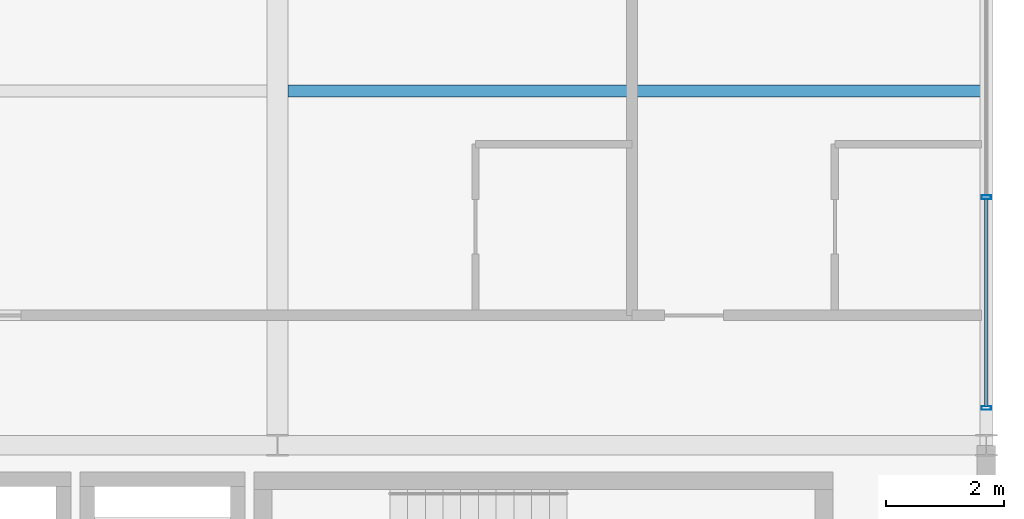
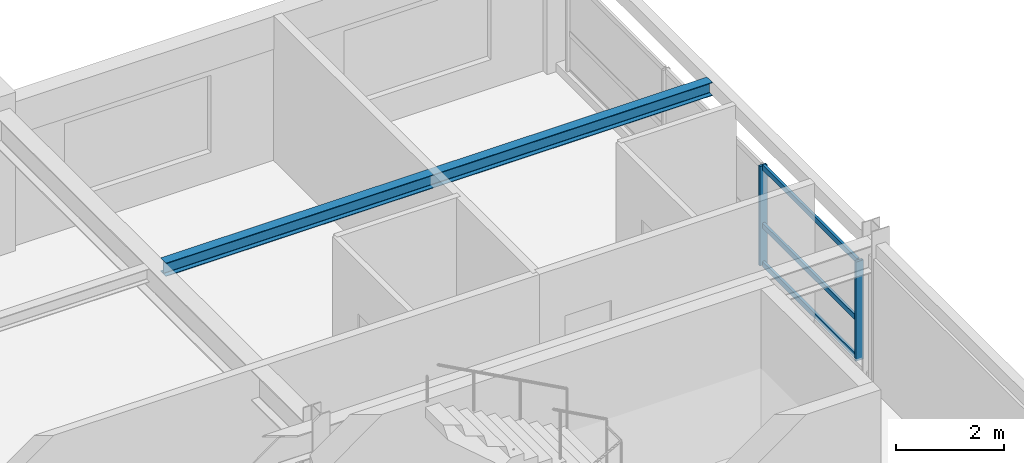
# One storey, part 13 of 22: 5 members, 1 beam, 1 element without a shape of its own.
"""IFC4 building model written with IfcOpenShell, lengths in metres."""

from ifc_helpers import new_model, si_unit, direction, frame, origin, origin_2d, place, context, subcontext, project, spatial, hollow_rectangle, i_section, extrude, material, material_profile, profile_set, type_object, element, aggregate, save


model = new_model("IFC4")

# Units and contexts
model_context = context("Model", 3, precision=1e-05, world=origin(), true_north=direction((0.0, 1.0)))
body_context = subcontext(model_context, "Body", "Model", "MODEL_VIEW")
ifc_project = project(units=[si_unit("LENGTHUNIT", "METRE"), si_unit("AREAUNIT", "SQUARE_METRE"), si_unit("VOLUMEUNIT", "CUBIC_METRE"), si_unit("PLANEANGLEUNIT", "RADIAN"), si_unit("MASSUNIT", "GRAM", prefix="KILO")], contexts=[model_context])

# Site, building, storey
site_placement = place(None, origin())
site = spatial("IfcSite", under=ifc_project, at=site_placement, CompositionType="ELEMENT")
building_placement = place(site_placement, origin())
building = spatial("IfcBuilding", under=site, at=building_placement, Name="Kaldorvane Square Convention Centre", CompositionType="ELEMENT")
storey_placement = place(building_placement, frame((0.0, 0.0, 67.19999694824219)))
storey = spatial("IfcBuildingStorey", under=building, at=storey_placement, Name="L16", CompositionType="ELEMENT", Elevation=67.19999694824219)

# Beam
ifc_material_1 = material(Name="Steel ASTM A992 Gr. 50", Category="steel")
ifc_material_profile_1 = material_profile(ifc_material_1, i_section(OverallWidth=0.2032928466796875, OverallDepth=0.3032989501953125, WebThickness=0.00750732421875, FlangeThickness=0.0131072998046875, FilletRadius=0.01019287109375, at=origin_2d()), Name="W12X40")
ifc_profile_set_1 = profile_set([ifc_material_profile_1], Name="Steel ASTM A992 Gr. 50")
beam_type = type_object("IfcBeamType", Name="BM-JS-W12X40", PredefinedType="JOIST", material=ifc_profile_set_1)
beam_placement = place(storey_placement, frame((66.17739868164062, 111.0, 3.124298095703125), z_axis=(1.0, 0.0, 0.0), x_axis=(0.0, 1.0, 0.0)))
element("IfcBeam", 1, at=beam_placement, inside=storey, type_object=beam_type, Name="Secondary Floor Joist (L16)", PredefinedType="JOIST", context=body_context, shape_type="SweptSolid", body=[
    extrude(i_section(OverallWidth=0.2032928466796875, OverallDepth=0.3032989501953125, WebThickness=0.00750732421875, FlangeThickness=0.0131072998046875, FilletRadius=0.01019287109375, at=origin_2d()), origin(), (0.0, 0.0, 1.0), 11.72100830078125),
])

# Curtain wall, members
ifc_material_2 = material(Name="Anodized Aluminum and Low-E Insulated Glazing", Category="aluminium")
curtain_wall_type = type_object("IfcCurtainWallType", Name="CW-UNI-HTL-A", PredefinedType="USERDEFINED", material=ifc_material_2)
curtain_wall_placement = place(storey_placement, origin())
curtain_wall = element("IfcCurtainWall", 2, at=curtain_wall_placement, inside=storey, type_object=curtain_wall_type, Name="Curtain Wall CW-10 (L16)", ObjectType="UNITISED GLAZING", PredefinedType="USERDEFINED")
ifc_material_profile_2 = material_profile(ifc_material_2, hollow_rectangle(XDim=0.05999755859375, YDim=0.160003662109375, WallThickness=0.003204345703125, at=origin_2d()), Name="CWM-160X60")
ifc_profile_set_2 = profile_set([ifc_material_profile_2], Name="Anodized Aluminum and Low-E Insulated Glazing")
member_type_1 = type_object("IfcMemberType", Name="CW-MUL-160", PredefinedType="MULLION", material=ifc_profile_set_2)
member_1_placement = place(storey_placement, frame((78.0, 105.6300048828125, 0.1500091552734375), z_axis=(0.0, 0.0, 1.0), x_axis=(0.0, 1.0, 0.0)))
member_1 = element("IfcMember", 3, at=member_1_placement, type_object=member_type_1, Name="CW-10 mullion 1", PredefinedType="MULLION", context=body_context, shape_type="SweptSolid", body=[
    extrude(hollow_rectangle(XDim=0.05999755859375, YDim=0.160003662109375, WallThickness=0.003204345703125, at=origin_2d()), origin(), (0.0, 0.0, 1.0), 2.25),
])
member_2_placement = place(storey_placement, frame((78.0, 109.19999694824219, 0.1500091552734375), z_axis=(0.0, 0.0, 1.0), x_axis=(0.0, 1.0, 0.0)))
member_2 = element("IfcMember", 4, at=member_2_placement, type_object=member_type_1, Name="CW-10 mullion 2", PredefinedType="MULLION", context=body_context, shape_type="SweptSolid", body=[
    extrude(hollow_rectangle(XDim=0.05999755859375, YDim=0.160003662109375, WallThickness=0.003204345703125, at=origin_2d()), origin(), (0.0, 0.0, 1.0), 2.25),
])
ifc_material_profile_3 = material_profile(ifc_material_2, hollow_rectangle(XDim=0.05499267578125, YDim=0.1199951171875, WallThickness=0.0030059814453125, at=origin_2d()), Name="CWT-120X55")
ifc_profile_set_3 = profile_set([ifc_material_profile_3], Name="Anodized Aluminum and Low-E Insulated Glazing")
member_type_2 = type_object("IfcMemberType", Name="CW-TRN-120", PredefinedType="USERDEFINED", material=ifc_profile_set_3)
member_3_placement = place(storey_placement, frame((78.0, 105.66000366210938, 0.1775054931640625), z_axis=(0.0, 1.0, 0.0), x_axis=(-1.0, 0.0, 0.0)))
member_3 = element("IfcMember", 5, at=member_3_placement, type_object=member_type_2, Name="CW-10 transom 1.1", ObjectType="TRANSOM", PredefinedType="USERDEFINED", context=body_context, shape_type="SweptSolid", body=[
    extrude(hollow_rectangle(XDim=0.05499267578125, YDim=0.1199951171875, WallThickness=0.0030059814453125, at=origin_2d()), origin(), (0.0, 0.0, 1.0), 3.5099945068359375),
])
member_4_placement = place(storey_placement, frame((78.0, 105.66000366210938, 1.0500030517578125), z_axis=(0.0, 1.0, 0.0), x_axis=(-1.0, 0.0, 0.0)))
member_4 = element("IfcMember", 6, at=member_4_placement, type_object=member_type_2, Name="CW-10 transom 1.2", ObjectType="TRANSOM", PredefinedType="USERDEFINED", context=body_context, shape_type="SweptSolid", body=[
    extrude(hollow_rectangle(XDim=0.05499267578125, YDim=0.1199951171875, WallThickness=0.0030059814453125, at=origin_2d()), origin(), (0.0, 0.0, 1.0), 3.5099945068359375),
])
member_5_placement = place(storey_placement, frame((78.0, 105.66000366210938, 2.37249755859375), z_axis=(0.0, 1.0, 0.0), x_axis=(-1.0, 0.0, 0.0)))
member_5 = element("IfcMember", 7, at=member_5_placement, type_object=member_type_2, Name="CW-10 transom 1.3", ObjectType="TRANSOM", PredefinedType="USERDEFINED", context=body_context, shape_type="SweptSolid", body=[
    extrude(hollow_rectangle(XDim=0.05499267578125, YDim=0.1199951171875, WallThickness=0.0030059814453125, at=origin_2d()), origin(), (0.0, 0.0, 1.0), 3.5099945068359375),
])
aggregate(curtain_wall, [member_1, member_2, member_3, member_4, member_5])

save(model, "model.ifc")
